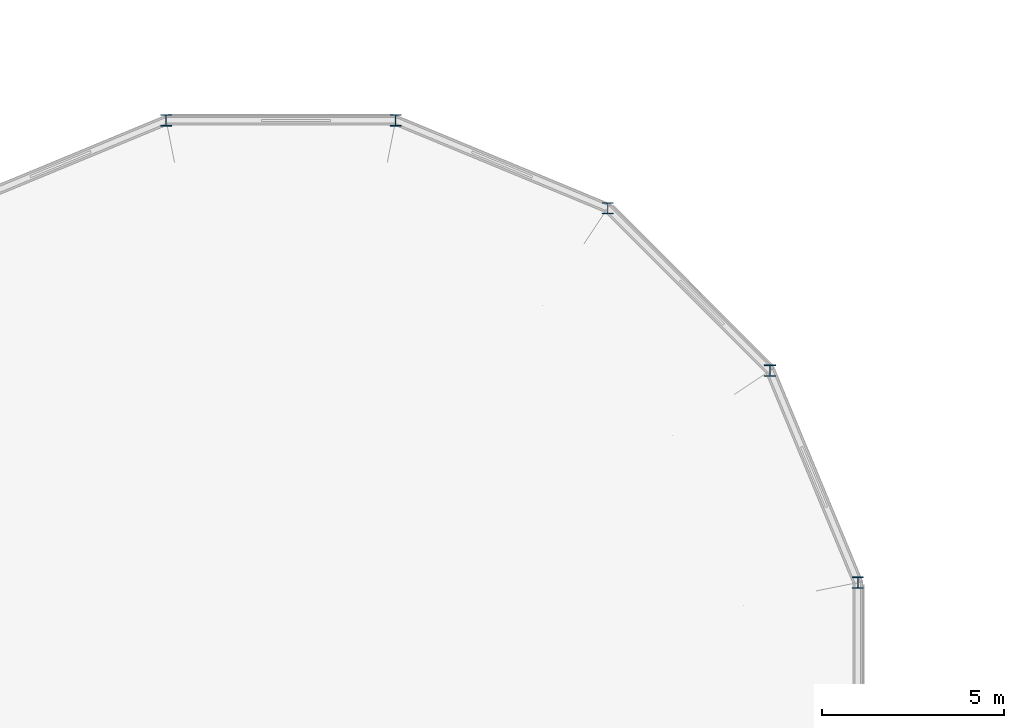
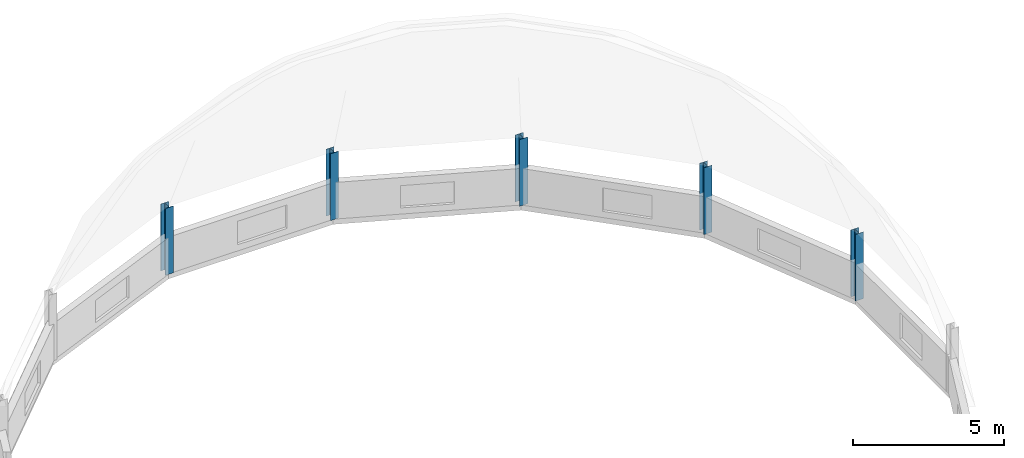
# One storey, part 2 of 66: 5 columns.
"""IFC4 building model written with IfcOpenShell, lengths in metres."""

from ifc_helpers import new_model, si_unit, direction, frame, origin, origin_2d, place, context, subcontext, project, spatial, i_section, extrude, material, material_profile, profile_set, type_object, element, save


model = new_model("IFC4")

# Units and contexts
model_context = context("Model", 3, precision=1e-05, world=origin(), true_north=direction((0.0, 1.0)))
body_context = subcontext(model_context, "Body", "Model", "MODEL_VIEW")
ifc_project = project(units=[si_unit("LENGTHUNIT", "METRE"), si_unit("AREAUNIT", "SQUARE_METRE"), si_unit("VOLUMEUNIT", "CUBIC_METRE"), si_unit("PLANEANGLEUNIT", "RADIAN"), si_unit("MASSUNIT", "GRAM", prefix="KILO"), si_unit("THERMODYNAMICTEMPERATUREUNIT", "KELVIN"), si_unit("POWERUNIT", "WATT")], contexts=[model_context])

# Site, building, storey
site_placement = place(None, origin())
site = spatial("IfcSite", under=ifc_project, at=site_placement, CompositionType="ELEMENT")
building_placement = place(site_placement, origin())
building = spatial("IfcBuilding", under=site, at=building_placement, Name="Tallowbark Science Centre", CompositionType="ELEMENT")
storey_placement = place(building_placement, frame((0.0, 0.0, 18.89990234375)))
storey = spatial("IfcBuildingStorey", under=building, at=storey_placement, Name="L04", CompositionType="ELEMENT", Elevation=18.89990234375)

# Columns
ifc_material = material(Name="Structural Steel Grade 300PLUS (300 MPa)", Category="steel")
ifc_material_profile = material_profile(ifc_material, i_section(OverallWidth=0.307373046875, OverallDepth=0.314697265625, WebThickness=0.011962890625, FlangeThickness=0.018798828125, FilletRadius=0.0166015625, at=origin_2d()), Name="310UC118")
ifc_profile_set = profile_set([ifc_material_profile], Name="Structural Steel Grade 300PLUS (300 MPa)")
column_type = type_object("IfcColumnType", Name="PIL-UC310", PredefinedType="PILASTER", material=ifc_profile_set)
for number, where, z_axis, x_axis, name in (
    (1, (38.388671875, 21.160400390625, 0.0), (0.0, 0.0, 1.0), (1.0, 0.0, 0.0), "Column DRM-P01 L04"),
    (2, (35.9697265625, 27.000244140625, 0.0), (0.0, 0.0, 1.0), (1.0, 0.0, 0.0), "Column DRM-P02 L04"),
    (3, (31.500244140625, 31.4697265625, 0.0), (0.0, 0.0, 1.0), (1.0, 0.0, 0.0), "Column DRM-P03 L04"),
    (4, (25.660400390625, 33.888671875, 0.0), (0.0, 0.0, 1.0), (1.0, 0.0, 0.0), "Column DRM-P04 L04"),
    (5, (19.339599609375, 33.888671875, 0.0), (0.0, 0.0, 1.0), (1.0, 0.0, 0.0), "Column DRM-P05 L04"),
):
    element("IfcColumn", number, at=place(storey_placement, frame(where, z_axis=z_axis, x_axis=x_axis)), inside=storey, type_object=column_type, Name=name, PredefinedType="PILASTER", context=body_context, shape_type="SweptSolid", body=[
        extrude(i_section(OverallWidth=0.307373046875, OverallDepth=0.314697265625, WebThickness=0.011962890625, FlangeThickness=0.018798828125, FilletRadius=0.0166015625, at=origin_2d()), origin(), (0.0, 0.0, 1.0), 2.7001953125),
    ])

save(model, "model.ifc")
